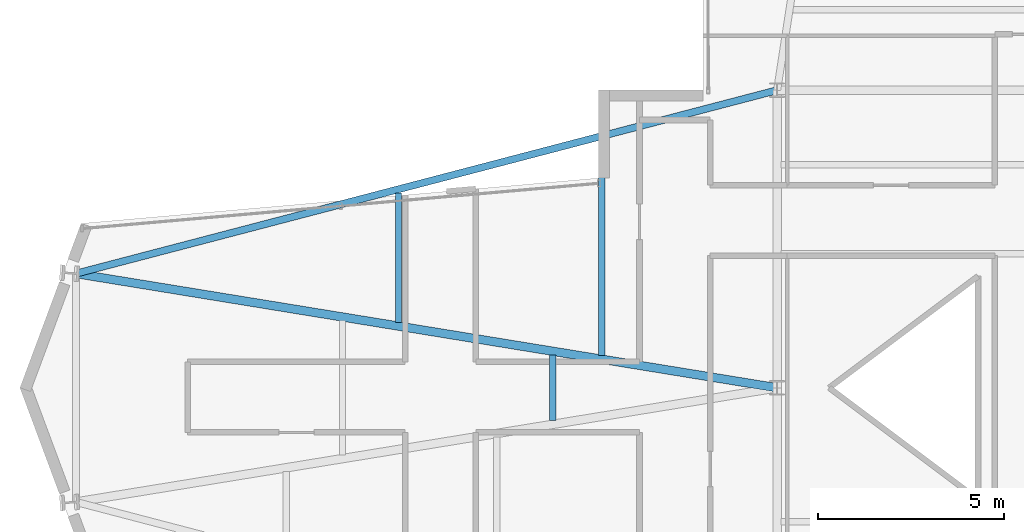
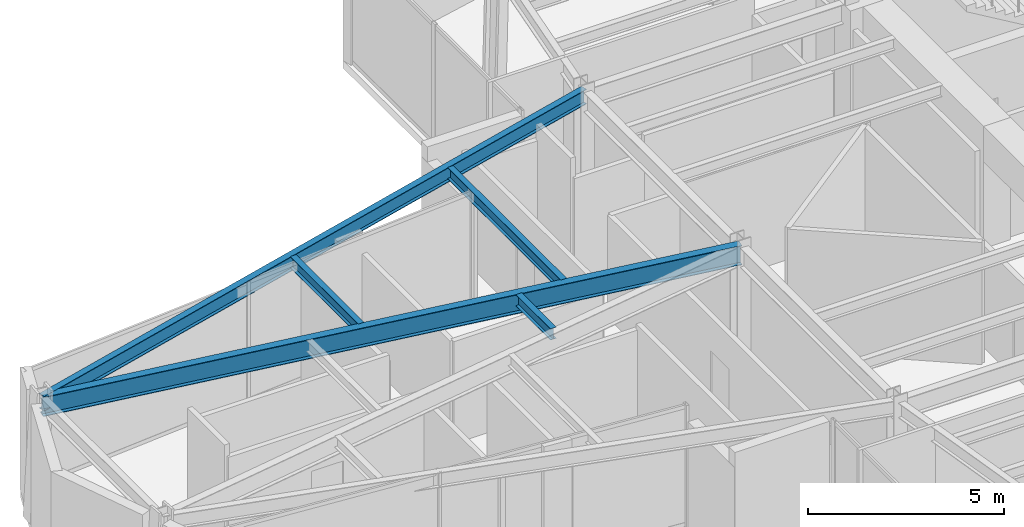
# One storey, part 9 of 25: 5 beams.
"""IFC4 building model written with IfcOpenShell, lengths in metres."""

from ifc_helpers import new_model, si_unit, direction, frame, origin, origin_2d, place, context, subcontext, project, spatial, i_section, extrude, material, material_profile, profile_set, type_object, element, save


model = new_model("IFC4")

# Units and contexts
model_context = context("Model", 3, precision=1e-05, world=origin(), true_north=direction((0.0, 1.0)))
body_context = subcontext(model_context, "Body", "Model", "MODEL_VIEW")
ifc_project = project(units=[si_unit("LENGTHUNIT", "METRE"), si_unit("AREAUNIT", "SQUARE_METRE"), si_unit("VOLUMEUNIT", "CUBIC_METRE"), si_unit("PLANEANGLEUNIT", "RADIAN"), si_unit("MASSUNIT", "GRAM", prefix="KILO")], contexts=[model_context])

# Site, building, storey
site_placement = place(None, origin())
site = spatial("IfcSite", under=ifc_project, at=site_placement, CompositionType="ELEMENT")
building_placement = place(site_placement, origin())
building = spatial("IfcBuilding", under=site, at=building_placement, Name="Veymaron Broadcast Tower", CompositionType="ELEMENT")
storey_placement = place(building_placement, frame((0.0, 0.0, 173.550048828125)))
storey = spatial("IfcBuildingStorey", under=building, at=storey_placement, Name="L40", CompositionType="ELEMENT", Elevation=173.550048828125)

# Beams
ifc_material = material(Name="Structural steel ASTM A992 Gr 50", Category="steel")
ifc_material_profile_1 = material_profile(ifc_material, i_section(OverallWidth=0.22802734375, OverallDepth=0.60791015625, WebThickness=0.01123046875, FlangeThickness=0.017333984375, at=origin_2d()), Name="W610X113")
ifc_profile_set_1 = profile_set([ifc_material_profile_1], Name="Structural steel ASTM A992 Gr 50")
beam_type_1 = type_object("IfcBeamType", Name="BM-FG2", PredefinedType="BEAM", material=ifc_profile_set_1)
beam_1_placement = place(storey_placement, frame((12.35400390625, 27.070068359375, 3.505859375), z_axis=(0.986989627659, -0.160783938541, 0.0), x_axis=(0.160783938541, 0.986989627659, 0.0)))
element("IfcBeam", 1, at=beam_1_placement, inside=storey, type_object=beam_type_1, Name="L40 primary structural floor girder", PredefinedType="BEAM", context=body_context, shape_type="SweptSolid", body=[
    extrude(i_section(OverallWidth=0.22802734375, OverallDepth=0.60791015625, WebThickness=0.01123046875, FlangeThickness=0.017333984375, at=origin_2d()), origin(), (0.0, 0.0, 1.0), 19.094482421875),
])
ifc_material_profile_2 = material_profile(ifc_material, i_section(OverallWidth=0.1708984375, OverallDepth=0.35498046875, WebThickness=0.007080078125, FlangeThickness=0.01171875, at=origin_2d()), Name="W360X51")
ifc_profile_set_2 = profile_set([ifc_material_profile_2], Name="Structural steel ASTM A992 Gr 50")
beam_type_2 = type_object("IfcBeamType", Name="BM-JS2", PredefinedType="JOIST", material=ifc_profile_set_2)
beam_2_placement = place(storey_placement, frame((21.023193359375, 25.7578125, 3.632568359375), z_axis=(0.0, 1.0, 0.0), x_axis=(-1.0, 0.0, 0.0)))
element("IfcBeam", 2, at=beam_2_placement, inside=storey, type_object=beam_type_2, Name="L40 Arm-A secondary joist 1N", PredefinedType="JOIST", context=body_context, shape_type="SweptSolid", body=[
    extrude(i_section(OverallWidth=0.1708984375, OverallDepth=0.35498046875, WebThickness=0.007080078125, FlangeThickness=0.01171875, at=origin_2d()), origin(), (0.0, 0.0, 1.0), 3.47998046875),
])
beam_3_placement = place(storey_placement, frame((25.169189453125, 23.11767578125, 3.632568359375), z_axis=(0.0, 1.0, 0.0), x_axis=(-1.0, 0.0, 0.0)))
element("IfcBeam", 3, at=beam_3_placement, inside=storey, type_object=beam_type_2, Name="L40 Arm-A secondary joist 2M", PredefinedType="JOIST", context=body_context, shape_type="SweptSolid", body=[
    extrude(i_section(OverallWidth=0.1708984375, OverallDepth=0.35498046875, WebThickness=0.007080078125, FlangeThickness=0.01171875, at=origin_2d()), origin(), (0.0, 0.0, 1.0), 1.7646484375),
])
beam_4_placement = place(storey_placement, frame((26.488525390625, 24.867431640625, 3.632568359375), z_axis=(0.0, 1.0, 0.0), x_axis=(-1.0, 0.0, 0.0)))
element("IfcBeam", 4, at=beam_4_placement, inside=storey, type_object=beam_type_2, Name="L40 Arm-A secondary joist 2N", PredefinedType="JOIST", context=body_context, shape_type="SweptSolid", body=[
    extrude(i_section(OverallWidth=0.1708984375, OverallDepth=0.35498046875, WebThickness=0.007080078125, FlangeThickness=0.01171875, at=origin_2d()), origin(), (0.0, 0.0, 1.0), 5.800048828125),
])
ifc_material_profile_3 = material_profile(ifc_material, i_section(OverallWidth=0.19091796875, OverallDepth=0.4599609375, WebThickness=0.010009765625, FlangeThickness=0.01611328125, at=origin_2d()), Name="W460X82")
ifc_profile_set_3 = profile_set([ifc_material_profile_3], Name="Structural steel ASTM A992 Gr 50")
beam_type_3 = type_object("IfcBeamType", Name="BM-SP1", PredefinedType="SPANDREL", material=ifc_profile_set_3)
beam_5_placement = place(storey_placement, frame((12.35400390625, 27.070068359375, 3.579833984375), z_axis=(0.967446560868, 0.253075387711, 0.0), x_axis=(-0.253075387711, 0.967446560868, 0.0)))
element("IfcBeam", 5, at=beam_5_placement, inside=storey, type_object=beam_type_3, Name="L40 primary structural floor girder", PredefinedType="SPANDREL", context=body_context, shape_type="SweptSolid", body=[
    extrude(i_section(OverallWidth=0.19091796875, OverallDepth=0.4599609375, WebThickness=0.010009765625, FlangeThickness=0.01611328125, at=origin_2d()), origin(), (0.0, 0.0, 1.0), 19.47998046875),
])

save(model, "model.ifc")
